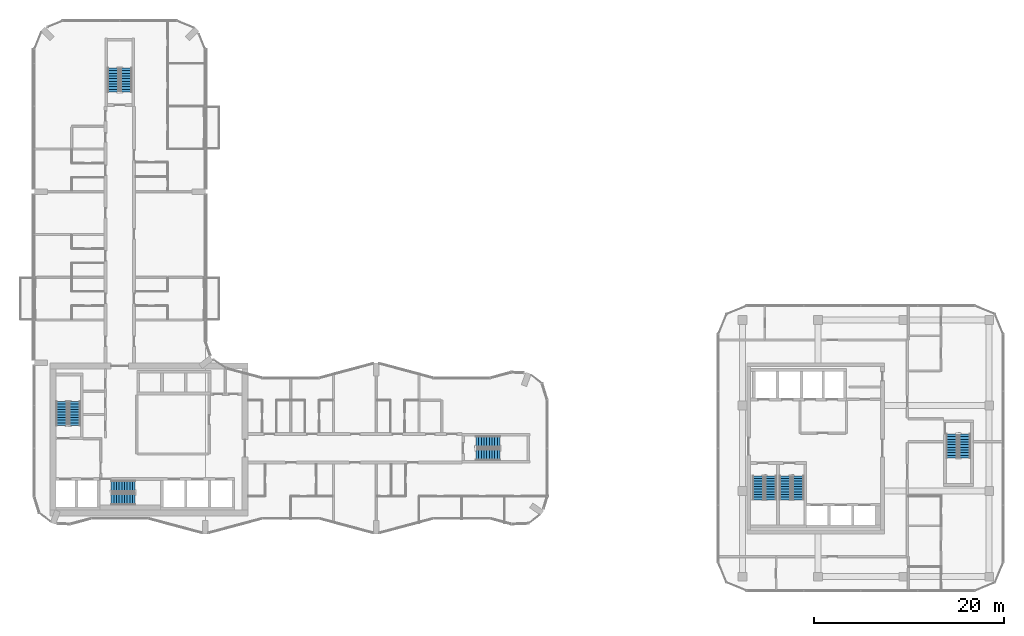
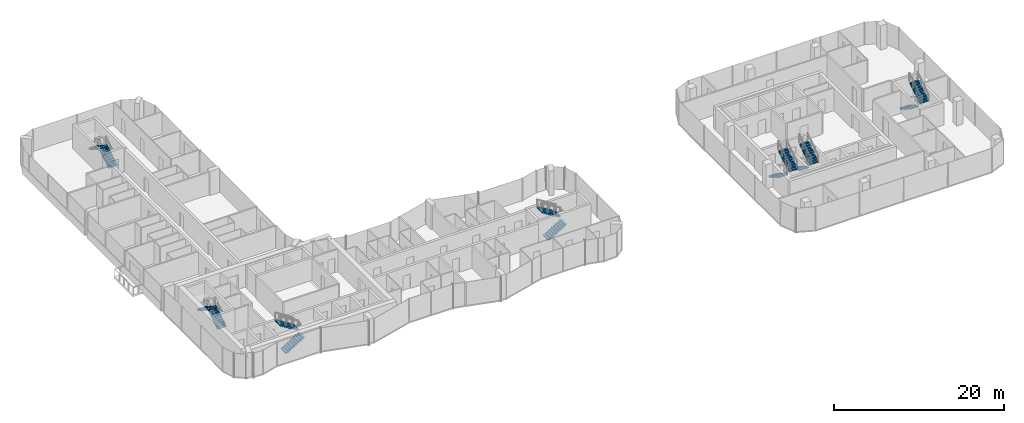
# One storey, part 19 of 22: 14 stair flights, 7 elements without a shape of their own.
"""IFC4 building model written with IfcOpenShell, lengths in metres."""

from ifc_helpers import new_model, si_unit, direction, frame, origin, place, context, subcontext, project, spatial, polyline, outline, extrude, material, type_object, element, aggregate, save


model = new_model("IFC4")

# Units and contexts
model_context = context("Model", 3, precision=1e-05, world=origin(), true_north=direction((0.0, 1.0)))
body_context = subcontext(model_context, "Body", "Model", "MODEL_VIEW")
ifc_project = project(units=[si_unit("LENGTHUNIT", "METRE"), si_unit("AREAUNIT", "SQUARE_METRE"), si_unit("VOLUMEUNIT", "CUBIC_METRE"), si_unit("PLANEANGLEUNIT", "RADIAN"), si_unit("MASSUNIT", "GRAM", prefix="KILO")], contexts=[model_context])

# Site, building, storey
site_placement = place(None, origin())
site = spatial("IfcSite", under=ifc_project, at=site_placement, CompositionType="ELEMENT")
building_placement = place(site_placement, origin())
building = spatial("IfcBuilding", under=site, at=building_placement, Name="Plateau Cross Towers", CompositionType="ELEMENT")
storey_placement = place(building_placement, frame((0.0, 0.0, 106.300048828125)))
storey = spatial("IfcBuildingStorey", under=building, at=storey_placement, Name="L27", CompositionType="ELEMENT", Elevation=106.300048828125)

# Stair, stair flights
ifc_material = material(Name="Concrete C40/50", Category="concrete")
stair_type = type_object("IfcStairType", Name="ST-TWR", PredefinedType="HALF_TURN_STAIR", material=ifc_material)
stair_1_placement = place(storey_placement, origin())
stair_1 = element("IfcStair", 1, at=stair_1_placement, inside=storey, type_object=stair_type, Name="L27 Protected Exit Stair ST-1", PredefinedType="HALF_TURN_STAIR")
stair_flight_type = type_object("IfcStairFlightType", Name="SFL-RC", PredefinedType="STRAIGHT", material=ifc_material)
stair_flight_1_placement = place(storey_placement, frame((4.25, 11.39990234375, 0.0), z_axis=(0.0, 0.0, 1.0), x_axis=(0.0, 1.0, 0.0)))
stair_flight_1 = element("IfcStairFlight", 2, at=stair_flight_1_placement, type_object=stair_flight_type, Name="ST-1 flight 1", NumberOfRisers=10, NumberOfTreads=9, PredefinedType="STRAIGHT", RiserHeight=0.175, TreadLength=0.28, context=body_context, shape_type="SweptSolid", body=[
    extrude(outline(polyline([(-0.0048828125, -0.010009765625), (-0.0048828125, 0.0), (0.0, 0.0), (0.0, 0.175048828125), (0.280029296875, 0.175048828125), (0.280029296875, 0.35009765625), (0.56005859375, 0.35009765625), (0.56005859375, 0.52490234375), (0.840087890625, 0.52490234375), (0.840087890625, 0.699951171875), (1.1201171875, 0.699951171875), (1.1201171875, 0.875), (1.39990234375, 0.875), (1.39990234375, 1.050048828125), (1.679931640625, 1.050048828125), (1.679931640625, 1.22509765625), (1.9599609375, 1.22509765625), (1.9599609375, 1.39990234375), (2.239990234375, 1.39990234375), (2.239990234375, 1.574951171875), (2.52001953125, 1.574951171875), (2.52490234375, 1.56494140625), (2.52490234375, 1.398193359375), (2.52001953125, 1.398193359375), (0.28271484375, 0.0), (0.02001953125, 0.0), (0.02001953125, -0.010009765625), (-0.0048828125, -0.010009765625)])), frame((0.0, 0.60009765625, 0.0), z_axis=(0.0, -1.0, 0.0), x_axis=(1.0, 0.0, 0.0)), (0.0, 0.0, 1.0), 1.199951171875),
])
stair_flight_2_placement = place(storey_placement, frame((2.89990234375, 13.919921875, 1.75), z_axis=(0.0, 0.0, 1.0), x_axis=(0.0, -1.0, 0.0)))
stair_flight_2 = element("IfcStairFlight", 3, at=stair_flight_2_placement, type_object=stair_flight_type, Name="ST-1 flight 2", NumberOfRisers=10, NumberOfTreads=9, PredefinedType="STRAIGHT", RiserHeight=0.175, TreadLength=0.28, context=body_context, shape_type="SweptSolid", body=[
    extrude(outline(polyline([(-0.0048828125, -0.010009765625), (-0.0048828125, 0.0), (0.0, 0.0), (0.0, 0.175048828125), (0.280029296875, 0.175048828125), (0.280029296875, 0.35009765625), (0.56005859375, 0.35009765625), (0.56005859375, 0.52490234375), (0.840087890625, 0.52490234375), (0.840087890625, 0.699951171875), (1.1201171875, 0.699951171875), (1.1201171875, 0.875), (1.39990234375, 0.875), (1.39990234375, 1.050048828125), (1.679931640625, 1.050048828125), (1.679931640625, 1.22509765625), (1.9599609375, 1.22509765625), (1.9599609375, 1.39990234375), (2.239990234375, 1.39990234375), (2.239990234375, 1.574951171875), (2.52001953125, 1.574951171875), (2.52490234375, 1.56494140625), (2.52490234375, 1.398193359375), (2.52001953125, 1.398193359375), (0.28271484375, 0.0), (0.02001953125, 0.0), (0.02001953125, -0.010009765625), (-0.0048828125, -0.010009765625)])), frame((0.0, 0.60009765625, 0.0), z_axis=(0.0, -1.0, 0.0), x_axis=(1.0, 0.0, 0.0)), (0.0, 0.0, 1.0), 1.199951171875),
])
aggregate(stair_1, [stair_flight_1, stair_flight_2])

stair_2_placement = place(storey_placement, origin())
stair_2 = element("IfcStair", 4, at=stair_2_placement, inside=storey, type_object=stair_type, Name="L27 Protected Exit Stair ST-2", PredefinedType="HALF_TURN_STAIR")
stair_flight_3_placement = place(storey_placement, frame((8.10009765625, 3.64990234375, 0.0), z_axis=(0.0, 0.0, 1.0), x_axis=(1.0, 0.0, 0.0)))
stair_flight_3 = element("IfcStairFlight", 5, at=stair_flight_3_placement, type_object=stair_flight_type, Name="ST-2 flight 1", NumberOfRisers=10, NumberOfTreads=9, PredefinedType="STRAIGHT", RiserHeight=0.175, TreadLength=0.28, context=body_context, shape_type="SweptSolid", body=[
    extrude(outline(polyline([(-0.0048828125, -0.010009765625), (-0.0048828125, 0.0), (0.0, 0.0), (0.0, 0.175048828125), (0.280029296875, 0.175048828125), (0.280029296875, 0.35009765625), (0.56005859375, 0.35009765625), (0.56005859375, 0.52490234375), (0.840087890625, 0.52490234375), (0.840087890625, 0.699951171875), (1.1201171875, 0.699951171875), (1.1201171875, 0.875), (1.39990234375, 0.875), (1.39990234375, 1.050048828125), (1.679931640625, 1.050048828125), (1.679931640625, 1.22509765625), (1.9599609375, 1.22509765625), (1.9599609375, 1.39990234375), (2.239990234375, 1.39990234375), (2.239990234375, 1.574951171875), (2.52001953125, 1.574951171875), (2.52490234375, 1.56494140625), (2.52490234375, 1.398193359375), (2.52001953125, 1.398193359375), (0.28271484375, 0.0), (0.02001953125, 0.0), (0.02001953125, -0.010009765625), (-0.0048828125, -0.010009765625)])), frame((0.0, 0.60009765625, 0.0), z_axis=(0.0, -1.0, 0.0), x_axis=(1.0, 0.0, 0.0)), (0.0, 0.0, 1.0), 1.199951171875),
])
stair_flight_4_placement = place(storey_placement, frame((10.6201171875, 5.0, 1.75), z_axis=(0.0, 0.0, 1.0), x_axis=(-1.0, 0.0, 0.0)))
stair_flight_4 = element("IfcStairFlight", 6, at=stair_flight_4_placement, type_object=stair_flight_type, Name="ST-2 flight 2", NumberOfRisers=10, NumberOfTreads=9, PredefinedType="STRAIGHT", RiserHeight=0.175, TreadLength=0.28, context=body_context, shape_type="SweptSolid", body=[
    extrude(outline(polyline([(-0.0048828125, -0.010009765625), (-0.0048828125, 0.0), (0.0, 0.0), (0.0, 0.175048828125), (0.280029296875, 0.175048828125), (0.280029296875, 0.35009765625), (0.56005859375, 0.35009765625), (0.56005859375, 0.52490234375), (0.840087890625, 0.52490234375), (0.840087890625, 0.699951171875), (1.1201171875, 0.699951171875), (1.1201171875, 0.875), (1.39990234375, 0.875), (1.39990234375, 1.050048828125), (1.679931640625, 1.050048828125), (1.679931640625, 1.22509765625), (1.9599609375, 1.22509765625), (1.9599609375, 1.39990234375), (2.239990234375, 1.39990234375), (2.239990234375, 1.574951171875), (2.52001953125, 1.574951171875), (2.52490234375, 1.56494140625), (2.52490234375, 1.398193359375), (2.52001953125, 1.398193359375), (0.28271484375, 0.0), (0.02001953125, 0.0), (0.02001953125, -0.010009765625), (-0.0048828125, -0.010009765625)])), frame((0.0, 0.60009765625, 0.0), z_axis=(0.0, -1.0, 0.0), x_axis=(1.0, 0.0, 0.0)), (0.0, 0.0, 1.0), 1.199951171875),
])
aggregate(stair_2, [stair_flight_3, stair_flight_4])

stair_3_placement = place(storey_placement, origin())
stair_3 = element("IfcStair", 7, at=stair_3_placement, inside=storey, type_object=stair_type, Name="L27 Protected Exit Stair SB-1", PredefinedType="HALF_TURN_STAIR")
stair_flight_5_placement = place(storey_placement, frame((76.199951171875, 6.10009765625, 0.0), z_axis=(0.0, 0.0, 1.0), x_axis=(0.0, -1.0, 0.0)))
stair_flight_5 = element("IfcStairFlight", 8, at=stair_flight_5_placement, type_object=stair_flight_type, Name="SB-1 flight 1", NumberOfRisers=10, NumberOfTreads=9, PredefinedType="STRAIGHT", RiserHeight=0.175, TreadLength=0.28, context=body_context, shape_type="SweptSolid", body=[
    extrude(outline(polyline([(-0.0048828125, -0.010009765625), (-0.0048828125, 0.0), (0.0, 0.0), (0.0, 0.175048828125), (0.280029296875, 0.175048828125), (0.280029296875, 0.35009765625), (0.56005859375, 0.35009765625), (0.56005859375, 0.52490234375), (0.840087890625, 0.52490234375), (0.840087890625, 0.699951171875), (1.1201171875, 0.699951171875), (1.1201171875, 0.875), (1.39990234375, 0.875), (1.39990234375, 1.050048828125), (1.679931640625, 1.050048828125), (1.679931640625, 1.22509765625), (1.9599609375, 1.22509765625), (1.9599609375, 1.39990234375), (2.239990234375, 1.39990234375), (2.239990234375, 1.574951171875), (2.52001953125, 1.574951171875), (2.52490234375, 1.56494140625), (2.52490234375, 1.398193359375), (2.52001953125, 1.398193359375), (0.28271484375, 0.0), (0.02001953125, 0.0), (0.02001953125, -0.010009765625), (-0.0048828125, -0.010009765625)])), frame((0.0, 0.60009765625, 0.0), z_axis=(0.0, -1.0, 0.0), x_axis=(1.0, 0.0, 0.0)), (0.0, 0.0, 1.0), 1.199951171875),
])
stair_flight_6_placement = place(storey_placement, frame((77.550048828125, 3.580078125, 1.75), z_axis=(0.0, 0.0, 1.0), x_axis=(0.0, 1.0, 0.0)))
stair_flight_6 = element("IfcStairFlight", 9, at=stair_flight_6_placement, type_object=stair_flight_type, Name="SB-1 flight 2", NumberOfRisers=10, NumberOfTreads=9, PredefinedType="STRAIGHT", RiserHeight=0.175, TreadLength=0.28, context=body_context, shape_type="SweptSolid", body=[
    extrude(outline(polyline([(-0.0048828125, -0.010009765625), (-0.0048828125, 0.0), (0.0, 0.0), (0.0, 0.175048828125), (0.280029296875, 0.175048828125), (0.280029296875, 0.35009765625), (0.56005859375, 0.35009765625), (0.56005859375, 0.52490234375), (0.840087890625, 0.52490234375), (0.840087890625, 0.699951171875), (1.1201171875, 0.699951171875), (1.1201171875, 0.875), (1.39990234375, 0.875), (1.39990234375, 1.050048828125), (1.679931640625, 1.050048828125), (1.679931640625, 1.22509765625), (1.9599609375, 1.22509765625), (1.9599609375, 1.39990234375), (2.239990234375, 1.39990234375), (2.239990234375, 1.574951171875), (2.52001953125, 1.574951171875), (2.52490234375, 1.56494140625), (2.52490234375, 1.398193359375), (2.52001953125, 1.398193359375), (0.28271484375, 0.0), (0.02001953125, 0.0), (0.02001953125, -0.010009765625), (-0.0048828125, -0.010009765625)])), frame((0.0, 0.60009765625, 0.0), z_axis=(0.0, -1.0, 0.0), x_axis=(1.0, 0.0, 0.0)), (0.0, 0.0, 1.0), 1.199951171875),
])
aggregate(stair_3, [stair_flight_5, stair_flight_6])

stair_4_placement = place(storey_placement, origin())
stair_4 = element("IfcStair", 10, at=stair_4_placement, inside=storey, type_object=stair_type, Name="L27 Protected Exit Stair SB-2", PredefinedType="HALF_TURN_STAIR")
stair_flight_7_placement = place(storey_placement, frame((79.050048828125, 6.10009765625, 0.0), z_axis=(0.0, 0.0, 1.0), x_axis=(0.0, -1.0, 0.0)))
stair_flight_7 = element("IfcStairFlight", 11, at=stair_flight_7_placement, type_object=stair_flight_type, Name="SB-2 flight 1", NumberOfRisers=10, NumberOfTreads=9, PredefinedType="STRAIGHT", RiserHeight=0.175, TreadLength=0.28, context=body_context, shape_type="SweptSolid", body=[
    extrude(outline(polyline([(-0.0048828125, -0.010009765625), (-0.0048828125, 0.0), (0.0, 0.0), (0.0, 0.175048828125), (0.280029296875, 0.175048828125), (0.280029296875, 0.35009765625), (0.56005859375, 0.35009765625), (0.56005859375, 0.52490234375), (0.840087890625, 0.52490234375), (0.840087890625, 0.699951171875), (1.1201171875, 0.699951171875), (1.1201171875, 0.875), (1.39990234375, 0.875), (1.39990234375, 1.050048828125), (1.679931640625, 1.050048828125), (1.679931640625, 1.22509765625), (1.9599609375, 1.22509765625), (1.9599609375, 1.39990234375), (2.239990234375, 1.39990234375), (2.239990234375, 1.574951171875), (2.52001953125, 1.574951171875), (2.52490234375, 1.56494140625), (2.52490234375, 1.398193359375), (2.52001953125, 1.398193359375), (0.28271484375, 0.0), (0.02001953125, 0.0), (0.02001953125, -0.010009765625), (-0.0048828125, -0.010009765625)])), frame((0.0, 0.60009765625, 0.0), z_axis=(0.0, -1.0, 0.0), x_axis=(1.0, 0.0, 0.0)), (0.0, 0.0, 1.0), 1.199951171875),
])
stair_flight_8_placement = place(storey_placement, frame((80.39990234375, 3.580078125, 1.75), z_axis=(0.0, 0.0, 1.0), x_axis=(0.0, 1.0, 0.0)))
stair_flight_8 = element("IfcStairFlight", 12, at=stair_flight_8_placement, type_object=stair_flight_type, Name="SB-2 flight 2", NumberOfRisers=10, NumberOfTreads=9, PredefinedType="STRAIGHT", RiserHeight=0.175, TreadLength=0.28, context=body_context, shape_type="SweptSolid", body=[
    extrude(outline(polyline([(-0.0048828125, -0.010009765625), (-0.0048828125, 0.0), (0.0, 0.0), (0.0, 0.175048828125), (0.280029296875, 0.175048828125), (0.280029296875, 0.35009765625), (0.56005859375, 0.35009765625), (0.56005859375, 0.52490234375), (0.840087890625, 0.52490234375), (0.840087890625, 0.699951171875), (1.1201171875, 0.699951171875), (1.1201171875, 0.875), (1.39990234375, 0.875), (1.39990234375, 1.050048828125), (1.679931640625, 1.050048828125), (1.679931640625, 1.22509765625), (1.9599609375, 1.22509765625), (1.9599609375, 1.39990234375), (2.239990234375, 1.39990234375), (2.239990234375, 1.574951171875), (2.52001953125, 1.574951171875), (2.52490234375, 1.56494140625), (2.52490234375, 1.398193359375), (2.52001953125, 1.398193359375), (0.28271484375, 0.0), (0.02001953125, 0.0), (0.02001953125, -0.010009765625), (-0.0048828125, -0.010009765625)])), frame((0.0, 0.60009765625, 0.0), z_axis=(0.0, -1.0, 0.0), x_axis=(1.0, 0.0, 0.0)), (0.0, 0.0, 1.0), 1.199951171875),
])
aggregate(stair_4, [stair_flight_7, stair_flight_8])

stair_5_placement = place(storey_placement, origin())
stair_5 = element("IfcStair", 13, at=stair_5_placement, inside=storey, type_object=stair_type, Name="L27 Protected Exit Stair SB-3", PredefinedType="HALF_TURN_STAIR")
stair_flight_9_placement = place(storey_placement, frame((96.60009765625, 10.5, 0.0), z_axis=(0.0, 0.0, 1.0), x_axis=(0.0, -1.0, 0.0)))
stair_flight_9 = element("IfcStairFlight", 14, at=stair_flight_9_placement, type_object=stair_flight_type, Name="SB-3 flight 1", NumberOfRisers=10, NumberOfTreads=9, PredefinedType="STRAIGHT", RiserHeight=0.175, TreadLength=0.28, context=body_context, shape_type="SweptSolid", body=[
    extrude(outline(polyline([(-0.0048828125, -0.010009765625), (-0.0048828125, 0.0), (0.0, 0.0), (0.0, 0.175048828125), (0.280029296875, 0.175048828125), (0.280029296875, 0.35009765625), (0.56005859375, 0.35009765625), (0.56005859375, 0.52490234375), (0.840087890625, 0.52490234375), (0.840087890625, 0.699951171875), (1.1201171875, 0.699951171875), (1.1201171875, 0.875), (1.39990234375, 0.875), (1.39990234375, 1.050048828125), (1.679931640625, 1.050048828125), (1.679931640625, 1.22509765625), (1.9599609375, 1.22509765625), (1.9599609375, 1.39990234375), (2.239990234375, 1.39990234375), (2.239990234375, 1.574951171875), (2.52001953125, 1.574951171875), (2.52490234375, 1.56494140625), (2.52490234375, 1.398193359375), (2.52001953125, 1.398193359375), (0.28271484375, 0.0), (0.02001953125, 0.0), (0.02001953125, -0.010009765625), (-0.0048828125, -0.010009765625)])), frame((0.0, 0.60009765625, 0.0), z_axis=(0.0, -1.0, 0.0), x_axis=(1.0, 0.0, 0.0)), (0.0, 0.0, 1.0), 1.199951171875),
])
stair_flight_10_placement = place(storey_placement, frame((97.949951171875, 7.97998046875, 1.75), z_axis=(0.0, 0.0, 1.0), x_axis=(0.0, 1.0, 0.0)))
stair_flight_10 = element("IfcStairFlight", 15, at=stair_flight_10_placement, type_object=stair_flight_type, Name="SB-3 flight 2", NumberOfRisers=10, NumberOfTreads=9, PredefinedType="STRAIGHT", RiserHeight=0.175, TreadLength=0.28, context=body_context, shape_type="SweptSolid", body=[
    extrude(outline(polyline([(-0.0048828125, -0.010009765625), (-0.0048828125, 0.0), (0.0, 0.0), (0.0, 0.175048828125), (0.280029296875, 0.175048828125), (0.280029296875, 0.35009765625), (0.56005859375, 0.35009765625), (0.56005859375, 0.52490234375), (0.840087890625, 0.52490234375), (0.840087890625, 0.699951171875), (1.1201171875, 0.699951171875), (1.1201171875, 0.875), (1.39990234375, 0.875), (1.39990234375, 1.050048828125), (1.679931640625, 1.050048828125), (1.679931640625, 1.22509765625), (1.9599609375, 1.22509765625), (1.9599609375, 1.39990234375), (2.239990234375, 1.39990234375), (2.239990234375, 1.574951171875), (2.52001953125, 1.574951171875), (2.52490234375, 1.56494140625), (2.52490234375, 1.398193359375), (2.52001953125, 1.398193359375), (0.28271484375, 0.0), (0.02001953125, 0.0), (0.02001953125, -0.010009765625), (-0.0048828125, -0.010009765625)])), frame((0.0, 0.60009765625, 0.0), z_axis=(0.0, -1.0, 0.0), x_axis=(1.0, 0.0, 0.0)), (0.0, 0.0, 1.0), 1.199951171875),
])
aggregate(stair_5, [stair_flight_9, stair_flight_10])

stair_6_placement = place(storey_placement, origin())
stair_6 = element("IfcStair", 16, at=stair_6_placement, inside=storey, type_object=stair_type, Name="L27 Protected Exit Stair E", PredefinedType="HALF_TURN_STAIR")
stair_flight_11_placement = place(storey_placement, frame((46.5, 8.324951171875, 0.0), z_axis=(0.0, 0.0, 1.0), x_axis=(1.0, 0.0, 0.0)))
stair_flight_11 = element("IfcStairFlight", 17, at=stair_flight_11_placement, type_object=stair_flight_type, Name="ES-E flight 1", NumberOfRisers=10, NumberOfTreads=9, PredefinedType="STRAIGHT", RiserHeight=0.175, TreadLength=0.28, context=body_context, shape_type="SweptSolid", body=[
    extrude(outline(polyline([(-0.0048828125, -0.010009765625), (-0.0048828125, 0.0), (0.0, 0.0), (0.0, 0.175048828125), (0.280029296875, 0.175048828125), (0.280029296875, 0.35009765625), (0.56005859375, 0.35009765625), (0.56005859375, 0.52490234375), (0.840087890625, 0.52490234375), (0.840087890625, 0.699951171875), (1.1201171875, 0.699951171875), (1.1201171875, 0.875), (1.39990234375, 0.875), (1.39990234375, 1.050048828125), (1.679931640625, 1.050048828125), (1.679931640625, 1.22509765625), (1.9599609375, 1.22509765625), (1.9599609375, 1.39990234375), (2.239990234375, 1.39990234375), (2.239990234375, 1.574951171875), (2.52001953125, 1.574951171875), (2.52490234375, 1.56494140625), (2.52490234375, 1.398193359375), (2.52001953125, 1.398193359375), (0.28271484375, 0.0), (0.02001953125, 0.0), (0.02001953125, -0.010009765625), (-0.0048828125, -0.010009765625)])), frame((0.0, 0.60009765625, 0.0), z_axis=(0.0, -1.0, 0.0), x_axis=(1.0, 0.0, 0.0)), (0.0, 0.0, 1.0), 1.199951171875),
])
stair_flight_12_placement = place(storey_placement, frame((49.02001953125, 9.675048828125, 1.75), z_axis=(0.0, 0.0, 1.0), x_axis=(-1.0, 0.0, 0.0)))
stair_flight_12 = element("IfcStairFlight", 18, at=stair_flight_12_placement, type_object=stair_flight_type, Name="ES-E flight 2", NumberOfRisers=10, NumberOfTreads=9, PredefinedType="STRAIGHT", RiserHeight=0.175, TreadLength=0.28, context=body_context, shape_type="SweptSolid", body=[
    extrude(outline(polyline([(-0.0048828125, -0.010009765625), (-0.0048828125, 0.0), (0.0, 0.0), (0.0, 0.175048828125), (0.280029296875, 0.175048828125), (0.280029296875, 0.35009765625), (0.56005859375, 0.35009765625), (0.56005859375, 0.52490234375), (0.840087890625, 0.52490234375), (0.840087890625, 0.699951171875), (1.1201171875, 0.699951171875), (1.1201171875, 0.875), (1.39990234375, 0.875), (1.39990234375, 1.050048828125), (1.679931640625, 1.050048828125), (1.679931640625, 1.22509765625), (1.9599609375, 1.22509765625), (1.9599609375, 1.39990234375), (2.239990234375, 1.39990234375), (2.239990234375, 1.574951171875), (2.52001953125, 1.574951171875), (2.52490234375, 1.56494140625), (2.52490234375, 1.398193359375), (2.52001953125, 1.398193359375), (0.28271484375, 0.0), (0.02001953125, 0.0), (0.02001953125, -0.010009765625), (-0.0048828125, -0.010009765625)])), frame((0.0, 0.60009765625, 0.0), z_axis=(0.0, -1.0, 0.0), x_axis=(1.0, 0.0, 0.0)), (0.0, 0.0, 1.0), 1.199951171875),
])
aggregate(stair_6, [stair_flight_11, stair_flight_12])

stair_7_placement = place(storey_placement, origin())
stair_7 = element("IfcStair", 19, at=stair_7_placement, inside=storey, type_object=stair_type, Name="L27 Protected Exit Stair N", PredefinedType="HALF_TURN_STAIR")
stair_flight_13_placement = place(storey_placement, frame((9.675048828125, 46.5, 0.0), z_axis=(0.0, 0.0, 1.0), x_axis=(0.0, 1.0, 0.0)))
stair_flight_13 = element("IfcStairFlight", 20, at=stair_flight_13_placement, type_object=stair_flight_type, Name="ES-N flight 1", NumberOfRisers=10, NumberOfTreads=9, PredefinedType="STRAIGHT", RiserHeight=0.175, TreadLength=0.28, context=body_context, shape_type="SweptSolid", body=[
    extrude(outline(polyline([(-0.0048828125, -0.010009765625), (-0.0048828125, 0.0), (0.0, 0.0), (0.0, 0.175048828125), (0.280029296875, 0.175048828125), (0.280029296875, 0.35009765625), (0.56005859375, 0.35009765625), (0.56005859375, 0.52490234375), (0.840087890625, 0.52490234375), (0.840087890625, 0.699951171875), (1.1201171875, 0.699951171875), (1.1201171875, 0.875), (1.39990234375, 0.875), (1.39990234375, 1.050048828125), (1.679931640625, 1.050048828125), (1.679931640625, 1.22509765625), (1.9599609375, 1.22509765625), (1.9599609375, 1.39990234375), (2.239990234375, 1.39990234375), (2.239990234375, 1.574951171875), (2.52001953125, 1.574951171875), (2.52490234375, 1.56494140625), (2.52490234375, 1.398193359375), (2.52001953125, 1.398193359375), (0.28271484375, 0.0), (0.02001953125, 0.0), (0.02001953125, -0.010009765625), (-0.0048828125, -0.010009765625)])), frame((0.0, 0.60009765625, 0.0), z_axis=(0.0, -1.0, 0.0), x_axis=(1.0, 0.0, 0.0)), (0.0, 0.0, 1.0), 1.199951171875),
])
stair_flight_14_placement = place(storey_placement, frame((8.324951171875, 49.02001953125, 1.75), z_axis=(0.0, 0.0, 1.0), x_axis=(0.0, -1.0, 0.0)))
stair_flight_14 = element("IfcStairFlight", 21, at=stair_flight_14_placement, type_object=stair_flight_type, Name="ES-N flight 2", NumberOfRisers=10, NumberOfTreads=9, PredefinedType="STRAIGHT", RiserHeight=0.175, TreadLength=0.28, context=body_context, shape_type="SweptSolid", body=[
    extrude(outline(polyline([(-0.0048828125, -0.010009765625), (-0.0048828125, 0.0), (0.0, 0.0), (0.0, 0.175048828125), (0.280029296875, 0.175048828125), (0.280029296875, 0.35009765625), (0.56005859375, 0.35009765625), (0.56005859375, 0.52490234375), (0.840087890625, 0.52490234375), (0.840087890625, 0.699951171875), (1.1201171875, 0.699951171875), (1.1201171875, 0.875), (1.39990234375, 0.875), (1.39990234375, 1.050048828125), (1.679931640625, 1.050048828125), (1.679931640625, 1.22509765625), (1.9599609375, 1.22509765625), (1.9599609375, 1.39990234375), (2.239990234375, 1.39990234375), (2.239990234375, 1.574951171875), (2.52001953125, 1.574951171875), (2.52490234375, 1.56494140625), (2.52490234375, 1.398193359375), (2.52001953125, 1.398193359375), (0.28271484375, 0.0), (0.02001953125, 0.0), (0.02001953125, -0.010009765625), (-0.0048828125, -0.010009765625)])), frame((0.0, 0.60009765625, 0.0), z_axis=(0.0, -1.0, 0.0), x_axis=(1.0, 0.0, 0.0)), (0.0, 0.0, 1.0), 1.199951171875),
])
aggregate(stair_7, [stair_flight_13, stair_flight_14])

save(model, "model.ifc")
